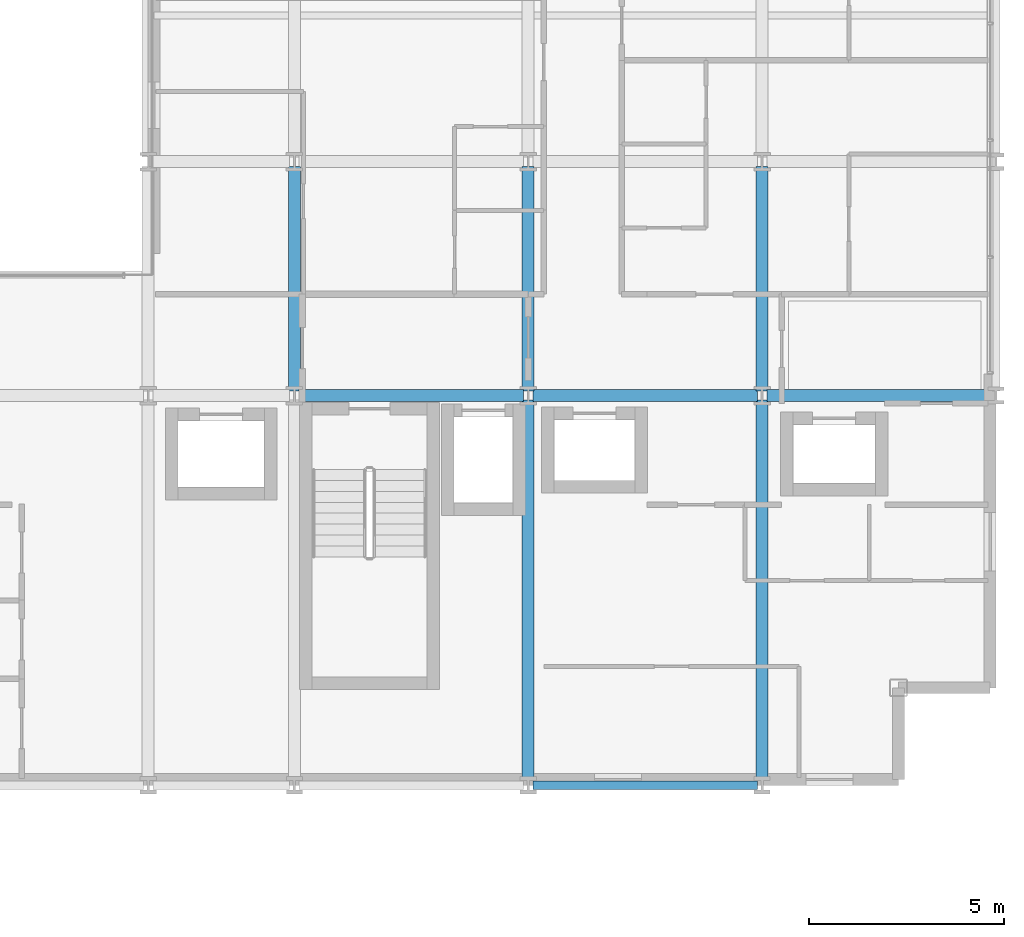
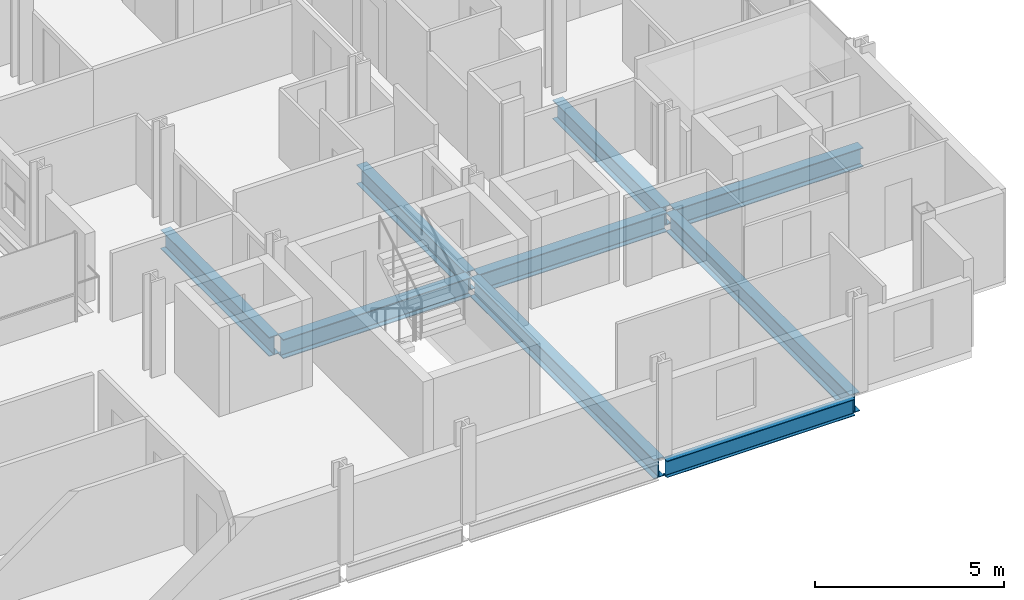
# One storey, part 14 of 40: 9 beams.
"""IFC4 building model written with IfcOpenShell, lengths in metres."""

import ifcopenshell
import ifcopenshell.guid

model = None  # the IFC model being written
_history = None  # IfcOwnerHistory: only IFC2X3 demands one
_inside = {}  # id of a spatial element -> (the spatial element, [elements in it])
_under = {}  # id of a project, library or spatial element -> (it, [spatial elements below it])
_declared = {}  # id of a project -> (the project, [libraries it declares])
_typed = {}  # id of a type object -> (the type object, [elements of that type])
_made_of = {}  # id of a material, layer set ... -> (it, [elements and type objects made of it])


def new_model(schema):
    """Start an empty IFC model of exactly this schema.

    Asked for "IFC4X3", IfcOpenShell would pick the latest addendum, in which some entities
    have other attributes; the version numbers below select the first issue.
    IFC2X3 requires an IfcOwnerHistory on every rooted entity: one is made here for all.
    """
    global model, _history
    if schema == "IFC4X3":
        model = ifcopenshell.file(schema_version=(4, 3, 0, 0))
    else:
        model = ifcopenshell.file(schema=schema)
    _inside.clear()
    _under.clear()
    _declared.clear()
    _typed.clear()
    _made_of.clear()
    _history = None
    if model.schema == "IFC2X3":
        org = make("IfcOrganization", Name="unknown")
        user = make(
            "IfcPersonAndOrganization",
            ThePerson=make("IfcPerson", FamilyName="unknown"),
            TheOrganization=org,
        )
        app = make(
            "IfcApplication",
            ApplicationDeveloper=org,
            Version="unknown",
            ApplicationFullName="unknown",
            ApplicationIdentifier="unknown",
        )
        _history = make(
            "IfcOwnerHistory",
            OwningUser=user,
            OwningApplication=app,
            ChangeAction="ADDED",
            CreationDate=0,
        )
    return model


def make(cls, **values):
    """One entity of the class cls with the attributes given. An attribute that is None is left unset."""
    return model.create_entity(
        cls, **{name: value for name, value in values.items() if value is not None}
    )


def rooted(cls, **values):
    """An entity with a GlobalId (a new one), such as an element, a storey or a relation."""
    return make(cls, GlobalId=ifcopenshell.guid.new(), OwnerHistory=_history, **values)


def si_unit(unit_type, name, prefix=None):
    """IfcSIUnit, for example si_unit("LENGTHUNIT", "METRE", prefix="MILLI")."""
    return make("IfcSIUnit", UnitType=unit_type, Prefix=prefix, Name=name)


def assignment(units):
    """IfcUnitAssignment: the units of a project."""
    return None if units is None else make("IfcUnitAssignment", Units=units)


def point(xyz):
    """IfcCartesianPoint."""
    return None if xyz is None else make("IfcCartesianPoint", Coordinates=xyz)


def direction(xyz):
    """IfcDirection."""
    return None if xyz is None else make("IfcDirection", DirectionRatios=xyz)


def frame(location, z_axis=None, x_axis=None):
    """IfcAxis2Placement3D, a coordinate frame: its origin and axes. An axis left out is left unset."""
    return make(
        "IfcAxis2Placement3D",
        Location=point(location),
        Axis=direction(z_axis),
        RefDirection=direction(x_axis),
    )


def frame_2d(location, x_axis=None):
    """IfcAxis2Placement2D, a coordinate frame in the plane: its origin and x axis."""
    return make(
        "IfcAxis2Placement2D", Location=point(location), RefDirection=direction(x_axis)
    )


def origin():
    """The frame at (0, 0, 0) with its axes left unset."""
    return frame((0.0, 0.0, 0.0))


def origin_2d():
    """The frame at (0, 0) in the plane with its x axis left unset."""
    return frame_2d((0.0, 0.0))


def place(relative_to, where):
    """IfcLocalPlacement: puts the frame where relative to a parent placement (None: the world)."""
    return make(
        "IfcLocalPlacement", PlacementRelTo=relative_to, RelativePlacement=where
    )


def context(
    kind, dimensions, precision=None, world=None, true_north=None, identifier=None
):
    """IfcGeometricRepresentationContext, for example the 3D "Model" context."""
    return make(
        "IfcGeometricRepresentationContext",
        ContextIdentifier=identifier,
        ContextType=kind,
        CoordinateSpaceDimension=dimensions,
        Precision=precision,
        WorldCoordinateSystem=world,
        TrueNorth=true_north,
    )


def subcontext(parent, identifier, kind, view, scale=None):
    """IfcGeometricRepresentationSubContext, for example "Body" below "Model"."""
    return make(
        "IfcGeometricRepresentationSubContext",
        ContextIdentifier=identifier,
        ContextType=kind,
        ParentContext=parent,
        TargetScale=scale,
        TargetView=view,
    )


def project(units=None, contexts=None):
    """IfcProject with its units and contexts."""
    return rooted(
        "IfcProject",
        Name="project",
        RepresentationContexts=contexts,
        UnitsInContext=assignment(units),
    )


def spatial(cls, under=None, at=None, **own):
    """A site, building, storey or space (cls), placed at a placement, below another one or the project."""
    s = rooted(cls, ObjectPlacement=at, **own)
    if under is not None:
        _under.setdefault(under.id(), (under, []))[1].append(s)
    return s


def profile(cls, at=None, kind="AREA", **sizes):
    """A parametric profile (cls). Its sizes go by their IFC names, for example OverallWidth=200.0."""
    return make(cls, ProfileType=kind, Position=at, **sizes)


def i_section(**sizes):
    """IfcIShapeProfileDef."""
    return profile("IfcIShapeProfileDef", **sizes)


def extrude(swept, where, along, depth):
    """IfcExtrudedAreaSolid: the profile swept, set in the frame where, extruded along a direction by depth."""
    return make(
        "IfcExtrudedAreaSolid",
        SweptArea=swept,
        Position=where,
        ExtrudedDirection=direction(along),
        Depth=depth,
    )


def shape(context_of_items, identifier, shape_type, items):
    """IfcShapeRepresentation: the items that make up one representation, for example the "Body"."""
    return make(
        "IfcShapeRepresentation",
        ContextOfItems=context_of_items,
        RepresentationIdentifier=identifier,
        RepresentationType=shape_type,
        Items=items,
    )


def material(Name=None, Category=None):
    """IfcMaterial."""
    return make("IfcMaterial", Name=Name, Category=Category)


def material_profile(
    of_material, cross_section, Name=None, Category=None, Priority=None
):
    """IfcMaterialProfile: a cross section and its material."""
    return make(
        "IfcMaterialProfile",
        Name=Name,
        Material=of_material,
        Profile=cross_section,
        Priority=Priority,
        Category=Category,
    )


def profile_set(profiles, Name=None, composite=None):
    """IfcMaterialProfileSet."""
    return make(
        "IfcMaterialProfileSet",
        Name=Name,
        MaterialProfiles=profiles,
        CompositeProfile=composite,
    )


def made_of(thing, what):
    """Note that an element or type object is made of a material, layer set ...; save() writes the relation."""
    if what is not None:
        _made_of.setdefault(what.id(), (what, []))[1].append(thing)
    return thing


def type_object(cls, material=None, **own):
    """A type object (cls), such as IfcWallType, which elements share."""
    return made_of(rooted(cls, **own), material)


def element(
    cls,
    number,
    at=None,
    inside=None,
    cuts=None,
    type_object=None,
    material=None,
    context=None,
    identifier="Body",
    shape_type=None,
    held_by="IfcProductDefinitionShape",
    body=None,
    shapes=None,
    **own,
):
    """One element of the class cls, such as IfcWall. Its Tag is "e" and its number.

    at: its placement. inside: the storey or other place that contains it. cuts: it is an
    opening in that element (IfcRelVoidsElement). A single representation is given by context,
    identifier, shape_type and body (its items); several are given by shapes. held_by: the class
    of the entity that holds the representations. save() writes the other relations.
    """
    e = rooted(cls, Tag="e%d" % number, ObjectPlacement=at, **own)
    if body is not None:
        shapes = [shape(context, identifier, shape_type, body)]
    if shapes is not None:
        e.Representation = make(held_by, Representations=shapes)
    if inside is not None:
        _inside.setdefault(inside.id(), (inside, []))[1].append(e)
    if cuts is not None:
        rooted(
            "IfcRelVoidsElement", RelatingBuildingElement=cuts, RelatedOpeningElement=e
        )
    if type_object is not None:
        _typed.setdefault(type_object.id(), (type_object, []))[1].append(e)
    return made_of(e, material)


def aggregate(whole, parts):
    """IfcRelAggregates: a whole, such as a stair, and the parts it consists of."""
    return rooted("IfcRelAggregates", RelatingObject=whole, RelatedObjects=parts)


def save(model, path):
    """Write the relations noted so far, then the file.

    IfcRelAggregates (storeys below a building ...), IfcRelContainedInSpatialStructure (elements
    in a storey), IfcRelDefinesByType, IfcRelAssociatesMaterial and IfcRelDeclares: one each for
    every whole, place, type object, material and project.
    """
    for whole, parts in _under.values():
        aggregate(whole, parts)
    for where, things in _inside.values():
        rooted(
            "IfcRelContainedInSpatialStructure",
            RelatedElements=things,
            RelatingStructure=where,
        )
    for kind, things in _typed.values():
        rooted("IfcRelDefinesByType", RelatedObjects=things, RelatingType=kind)
    for what, things in _made_of.values():
        rooted("IfcRelAssociatesMaterial", RelatedObjects=things, RelatingMaterial=what)
    for by, libraries in _declared.values():
        rooted("IfcRelDeclares", RelatingContext=by, RelatedDefinitions=libraries)
    model.write(path)


model = new_model("IFC4")

# Units and contexts
model_context = context("Model", 3, precision=1e-05, world=origin(), true_north=direction((0.0, 1.0)))
body_context = subcontext(model_context, "Body", "Model", "MODEL_VIEW")
ifc_project = project(units=[si_unit("LENGTHUNIT", "METRE"), si_unit("AREAUNIT", "SQUARE_METRE"), si_unit("VOLUMEUNIT", "CUBIC_METRE"), si_unit("PLANEANGLEUNIT", "RADIAN"), si_unit("MASSUNIT", "GRAM", prefix="KILO")], contexts=[model_context])

# Site, building, storey
site_placement = place(None, origin())
site = spatial("IfcSite", under=ifc_project, at=site_placement, CompositionType="ELEMENT")
building_placement = place(site_placement, origin())
building = spatial("IfcBuilding", under=site, at=building_placement, Name="Brevholm Reach", CompositionType="ELEMENT")
storey_placement = place(building_placement, frame((0.0, 0.0, 37.300048828125)))
storey = spatial("IfcBuildingStorey", under=building, at=storey_placement, Name="L09", CompositionType="ELEMENT", Elevation=37.300048828125)

# Beams
ifc_material_1 = material(Name="Structural Steel S355J2", Category="steel")
ifc_material_profile_1 = material_profile(ifc_material_1, i_section(OverallWidth=0.210693359375, OverallDepth=0.53955078125, WebThickness=0.01171875, FlangeThickness=0.018798828125, FilletRadius=0.0126953125, at=origin_2d()), Name="UKB 533x210x109")
ifc_profile_set_1 = profile_set([ifc_material_profile_1], Name="Structural Steel S355J2")
beam_type_1 = type_object("IfcBeamType", Name="BM-SP539", PredefinedType="SPANDREL", material=ifc_profile_set_1)
beam_1_placement = place(storey_placement, frame((48.1201171875, 0.0, -0.499755859375), z_axis=(1.0, 0.0, 0.0), x_axis=(0.0, 1.0, 0.0)))
element("IfcBeam", 1, at=beam_1_placement, inside=storey, type_object=beam_type_1, Name="L09 SP-01B Framing Beam", PredefinedType="SPANDREL", context=body_context, shape_type="SweptSolid", body=[
    extrude(i_section(OverallWidth=0.210693359375, OverallDepth=0.53955078125, WebThickness=0.01171875, FlangeThickness=0.018798828125, FilletRadius=0.0126953125, at=origin_2d()), origin(), (0.0, 0.0, 1.0), 5.759765625),
])
ifc_material_2 = material(Name="Structural Steel S355J2", Category="steel")
ifc_material_profile_2 = material_profile(ifc_material_2, i_section(OverallWidth=0.30712890625, OverallDepth=0.6201171875, WebThickness=0.01416015625, FlangeThickness=0.023681640625, FilletRadius=0.0166015625, at=origin_2d()), Name="UKB 610x305x179")
ifc_profile_set_2 = profile_set([ifc_material_profile_2], Name="Structural Steel S355J2")
beam_type_2 = type_object("IfcBeamType", Name="BM-UKB610H", PredefinedType="USERDEFINED", material=ifc_profile_set_2)
for number, where, z_axis, x_axis, name in (
    (2, (42.1201171875, 10.0, -0.5400390625), (1.0, 0.0, 0.0), (0.0, 1.0, 0.0), "L09 G-06 Framing Beam"),
    (3, (48.1201171875, 10.0, -0.5400390625), (1.0, 0.0, 0.0), (0.0, 1.0, 0.0), "L09 G-06 Framing Beam"),
    (4, (54.1201171875, 10.0, -0.5400390625), (1.0, 0.0, 0.0), (0.0, 1.0, 0.0), "L09 G-06 Framing Beam"),
    (5, (42.0, 10.1201171875, -0.5400390625), (0.0, 1.0, 0.0), (-1.0, 0.0, 0.0), "L09 G-06 Framing Beam"),
):
    element("IfcBeam", number, at=place(storey_placement, frame(where, z_axis=z_axis, x_axis=x_axis)), inside=storey, type_object=beam_type_2, Name=name, ObjectType="GIRDER", PredefinedType="USERDEFINED", context=body_context, shape_type="SweptSolid", body=[
        extrude(i_section(OverallWidth=0.30712890625, OverallDepth=0.6201171875, WebThickness=0.01416015625, FlangeThickness=0.023681640625, FilletRadius=0.0166015625, at=origin_2d()), origin(), (0.0, 0.0, 1.0), 5.759765625),
    ])
beam_2_placement = place(storey_placement, frame((48.0, 0.1201171875, -0.5400390625), z_axis=(0.0, 1.0, 0.0), x_axis=(-1.0, 0.0, 0.0)))
element("IfcBeam", 6, at=beam_2_placement, inside=storey, type_object=beam_type_2, Name="L09 G-06 Framing Beam", ObjectType="GIRDER", PredefinedType="USERDEFINED", context=body_context, shape_type="SweptSolid", body=[
    extrude(i_section(OverallWidth=0.30712890625, OverallDepth=0.6201171875, WebThickness=0.01416015625, FlangeThickness=0.023681640625, FilletRadius=0.0166015625, at=origin_2d()), origin(), (0.0, 0.0, 1.0), 9.759765625),
])
beam_3_placement = place(storey_placement, frame((48.0, 10.1201171875, -0.5400390625), z_axis=(0.0, 1.0, 0.0), x_axis=(-1.0, 0.0, 0.0)))
element("IfcBeam", 7, at=beam_3_placement, inside=storey, type_object=beam_type_2, Name="L09 G-06 Framing Beam", ObjectType="GIRDER", PredefinedType="USERDEFINED", context=body_context, shape_type="SweptSolid", body=[
    extrude(i_section(OverallWidth=0.30712890625, OverallDepth=0.6201171875, WebThickness=0.01416015625, FlangeThickness=0.023681640625, FilletRadius=0.0166015625, at=origin_2d()), origin(), (0.0, 0.0, 1.0), 5.759765625),
])
beam_4_placement = place(storey_placement, frame((54.0, 0.1201171875, -0.5400390625), z_axis=(0.0, 1.0, 0.0), x_axis=(-1.0, 0.0, 0.0)))
element("IfcBeam", 8, at=beam_4_placement, inside=storey, type_object=beam_type_2, Name="L09 G-06 Framing Beam", ObjectType="GIRDER", PredefinedType="USERDEFINED", context=body_context, shape_type="SweptSolid", body=[
    extrude(i_section(OverallWidth=0.30712890625, OverallDepth=0.6201171875, WebThickness=0.01416015625, FlangeThickness=0.023681640625, FilletRadius=0.0166015625, at=origin_2d()), origin(), (0.0, 0.0, 1.0), 9.759765625),
])
beam_5_placement = place(storey_placement, frame((54.0, 10.1201171875, -0.5400390625), z_axis=(0.0, 1.0, 0.0), x_axis=(-1.0, 0.0, 0.0)))
element("IfcBeam", 9, at=beam_5_placement, inside=storey, type_object=beam_type_2, Name="L09 G-06 Framing Beam", ObjectType="GIRDER", PredefinedType="USERDEFINED", context=body_context, shape_type="SweptSolid", body=[
    extrude(i_section(OverallWidth=0.30712890625, OverallDepth=0.6201171875, WebThickness=0.01416015625, FlangeThickness=0.023681640625, FilletRadius=0.0166015625, at=origin_2d()), origin(), (0.0, 0.0, 1.0), 5.759765625),
])

save(model, "model.ifc")
